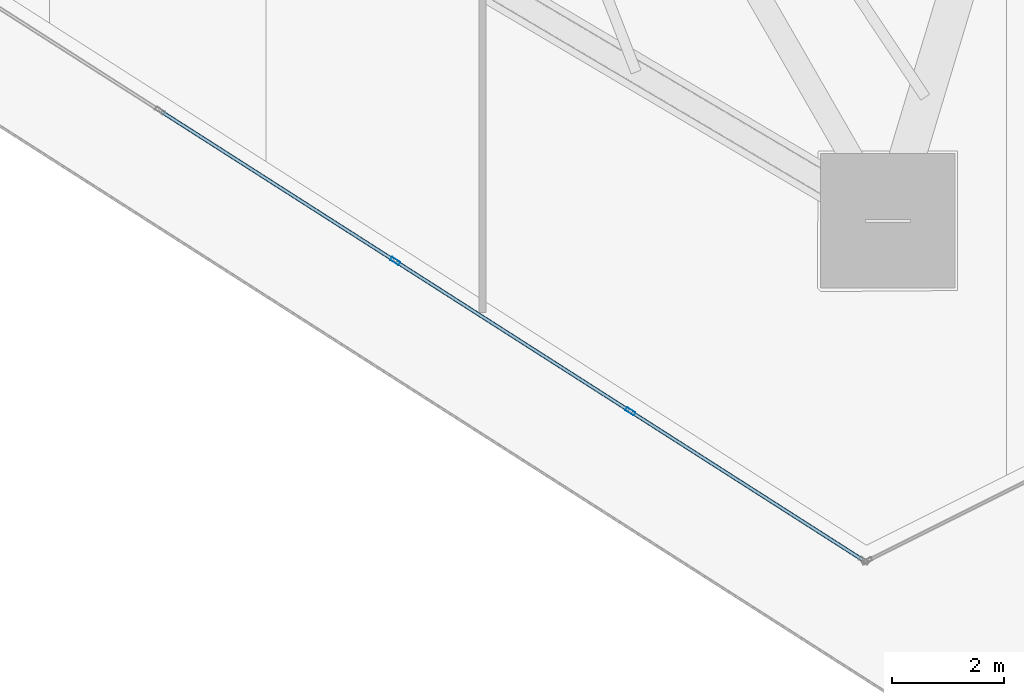
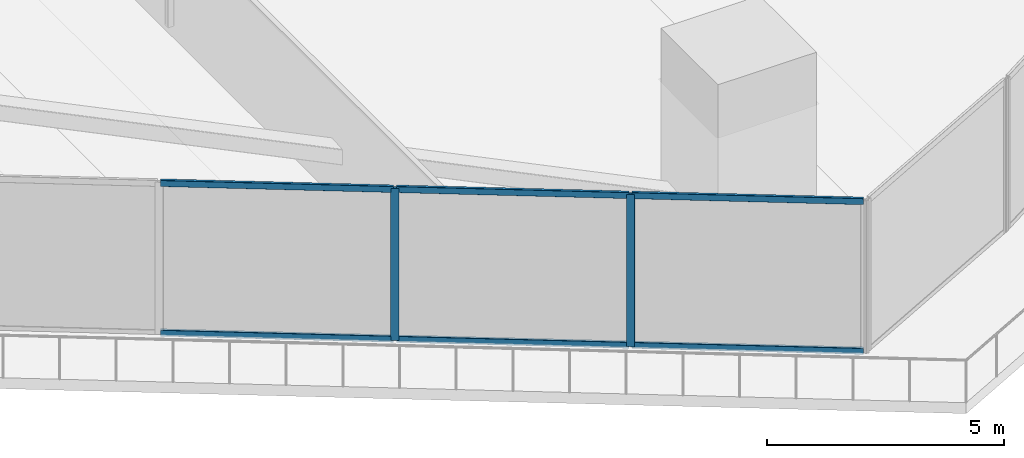
# One storey, part 7 of 45: 8 members, 1 element without a shape of its own.
"""IFC4 building model written with IfcOpenShell, lengths in metres."""

from ifc_helpers import new_model, si_unit, direction, frame, origin, origin_2d, place, context, subcontext, project, spatial, hollow_rectangle, extrude, material, layer, layer_set, material_profile, profile_set, type_object, element, aggregate, save


model = new_model("IFC4")

# Units and contexts
model_context = context("Model", 3, precision=1e-05, world=origin(), true_north=direction((0.0, 1.0)))
body_context = subcontext(model_context, "Body", "Model", "MODEL_VIEW")
ifc_project = project(units=[si_unit("LENGTHUNIT", "METRE"), si_unit("AREAUNIT", "SQUARE_METRE"), si_unit("VOLUMEUNIT", "CUBIC_METRE"), si_unit("PLANEANGLEUNIT", "RADIAN"), si_unit("MASSUNIT", "GRAM", prefix="KILO")], contexts=[model_context])

# Site, building, storey
site_placement = place(None, origin())
site = spatial("IfcSite", under=ifc_project, at=site_placement, CompositionType="ELEMENT")
building_placement = place(site_placement, origin())
building = spatial("IfcBuilding", under=site, at=building_placement, Name="Qorvath Tower", CompositionType="ELEMENT")
storey_placement = place(building_placement, frame((0.0, 0.0, 49.199951171875)))
storey = spatial("IfcBuildingStorey", under=building, at=storey_placement, Name="L10", CompositionType="ELEMENT", Elevation=49.199951171875)

# Curtain wall, members
ifc_material_1 = material(Name="Anodised aluminium and triple low-E glass", Category="aluminium")
ifc_layer = layer(ifc_material_1, 0.179931640625)
ifc_layer_set = layer_set([ifc_layer], Name="CW-SYS-2")
curtain_wall_type = type_object("IfcCurtainWallType", Name="CW-SYS-2", PredefinedType="NOTDEFINED", material=ifc_layer_set)
curtain_wall_placement = place(storey_placement, origin())
curtain_wall = element("IfcCurtainWall", 1, at=curtain_wall_placement, inside=storey, type_object=curtain_wall_type, Name="Curtain Wall CW-2 CW-T-L10-2.2", PredefinedType="NOTDEFINED")
ifc_material_2 = material(Name="Anodised aluminium 6063-T6", Category="aluminium")
ifc_material_profile_1 = material_profile(ifc_material_2, hollow_rectangle(XDim=0.06494140625, YDim=0.179931640625, WallThickness=0.00341796875, InnerFilletRadius=0.00341796875, OuterFilletRadius=0.007080078125, at=origin_2d()), Name="CWM 180x65")
ifc_profile_set_1 = profile_set([ifc_material_profile_1], Name="Anodised aluminium 6063-T6")
member_type_1 = type_object("IfcMemberType", Name="CWM-180", PredefinedType="MULLION", material=ifc_profile_set_1)
member_1_placement = place(storey_placement, frame((-23.25146484375, -28.047119140625, 0.0), z_axis=(0.0, 0.0, 1.0), x_axis=(0.538536571861, 0.842602136698, 0.0)))
member_1 = element("IfcMember", 2, at=member_1_placement, type_object=member_type_1, Name="CW-2 mullion 5", PredefinedType="MULLION", context=body_context, shape_type="SweptSolid", body=[
    extrude(hollow_rectangle(XDim=0.06494140625, YDim=0.179931640625, WallThickness=0.00341796875, InnerFilletRadius=0.00341796875, OuterFilletRadius=0.007080078125, at=origin_2d()), origin(), (0.0, 0.0, 1.0), 3.920166015625),
])
member_2_placement = place(storey_placement, frame((-19.057861328125, -30.7275390625, 0.0), z_axis=(0.0, 0.0, 1.0), x_axis=(0.538536571861, 0.842602136698, 0.0)))
member_2 = element("IfcMember", 3, at=member_2_placement, type_object=member_type_1, Name="CW-2 mullion 6", PredefinedType="MULLION", context=body_context, shape_type="SweptSolid", body=[
    extrude(hollow_rectangle(XDim=0.06494140625, YDim=0.179931640625, WallThickness=0.00341796875, InnerFilletRadius=0.00341796875, OuterFilletRadius=0.007080078125, at=origin_2d()), origin(), (0.0, 0.0, 1.0), 3.920166015625),
])
ifc_material_3 = material(Name="Anodised aluminium 6063-T6", Category="aluminium")
ifc_material_profile_2 = material_profile(ifc_material_3, hollow_rectangle(XDim=0.06494140625, YDim=0.159912109375, WallThickness=0.00341796875, InnerFilletRadius=0.00341796875, OuterFilletRadius=0.007080078125, at=origin_2d()), Name="CWT 160x65")
ifc_profile_set_2 = profile_set([ifc_material_profile_2], Name="Anodised aluminium 6063-T6")
member_type_2 = type_object("IfcMemberType", Name="CWT-160", PredefinedType="USERDEFINED", material=ifc_profile_set_2)
member_3_placement = place(storey_placement, frame((-27.41796875, -25.38427734375, 0.032470703125), z_axis=(0.842599789042, -0.53854024502, 0.0), x_axis=(0.53854024502, 0.842599789042, 0.0)))
member_3 = element("IfcMember", 4, at=member_3_placement, type_object=member_type_2, Name="CW-2 transom 4.1", ObjectType="TRANSOM", PredefinedType="USERDEFINED", context=body_context, shape_type="SweptSolid", body=[
    extrude(hollow_rectangle(XDim=0.06494140625, YDim=0.159912109375, WallThickness=0.00341796875, InnerFilletRadius=0.00341796875, OuterFilletRadius=0.007080078125, at=origin_2d()), origin(), (0.0, 0.0, 1.0), 4.912353515625),
])
member_4_placement = place(storey_placement, frame((-27.41796875, -25.38427734375, 3.8876953125), z_axis=(0.842599789042, -0.53854024502, 0.0), x_axis=(0.53854024502, 0.842599789042, 0.0)))
member_4 = element("IfcMember", 5, at=member_4_placement, type_object=member_type_2, Name="CW-2 transom 4.2", ObjectType="TRANSOM", PredefinedType="USERDEFINED", context=body_context, shape_type="SweptSolid", body=[
    extrude(hollow_rectangle(XDim=0.06494140625, YDim=0.159912109375, WallThickness=0.00341796875, InnerFilletRadius=0.00341796875, OuterFilletRadius=0.007080078125, at=origin_2d()), origin(), (0.0, 0.0, 1.0), 4.912353515625),
])
member_5_placement = place(storey_placement, frame((-23.22412109375, -28.064697265625, 0.032470703125), z_axis=(0.842585374104, -0.538562797959, 0.0), x_axis=(0.538562797959, 0.842585374104, 0.0)))
member_5 = element("IfcMember", 6, at=member_5_placement, type_object=member_type_2, Name="CW-2 transom 5.1", ObjectType="TRANSOM", PredefinedType="USERDEFINED", context=body_context, shape_type="SweptSolid", body=[
    extrude(hollow_rectangle(XDim=0.06494140625, YDim=0.159912109375, WallThickness=0.00341796875, InnerFilletRadius=0.00341796875, OuterFilletRadius=0.007080078125, at=origin_2d()), origin(), (0.0, 0.0, 1.0), 4.912109375),
])
member_6_placement = place(storey_placement, frame((-23.22412109375, -28.064697265625, 3.8876953125), z_axis=(0.842585374104, -0.538562797959, 0.0), x_axis=(0.538562797959, 0.842585374104, 0.0)))
member_6 = element("IfcMember", 7, at=member_6_placement, type_object=member_type_2, Name="CW-2 transom 5.2", ObjectType="TRANSOM", PredefinedType="USERDEFINED", context=body_context, shape_type="SweptSolid", body=[
    extrude(hollow_rectangle(XDim=0.06494140625, YDim=0.159912109375, WallThickness=0.00341796875, InnerFilletRadius=0.00341796875, OuterFilletRadius=0.007080078125, at=origin_2d()), origin(), (0.0, 0.0, 1.0), 4.912109375),
])
member_7_placement = place(storey_placement, frame((-19.0302734375, -30.7451171875, 0.032470703125), z_axis=(0.842594727147, -0.538548164777, 0.0), x_axis=(0.538548164777, 0.842594727147, 0.0)))
member_7 = element("IfcMember", 8, at=member_7_placement, type_object=member_type_2, Name="CW-2 transom 6.1", ObjectType="TRANSOM", PredefinedType="USERDEFINED", context=body_context, shape_type="SweptSolid", body=[
    extrude(hollow_rectangle(XDim=0.06494140625, YDim=0.159912109375, WallThickness=0.00341796875, InnerFilletRadius=0.00341796875, OuterFilletRadius=0.007080078125, at=origin_2d()), origin(), (0.0, 0.0, 1.0), 4.879638671875),
])
member_8_placement = place(storey_placement, frame((-19.0302734375, -30.7451171875, 3.8876953125), z_axis=(0.842594727147, -0.538548164777, 0.0), x_axis=(0.538548164777, 0.842594727147, 0.0)))
member_8 = element("IfcMember", 9, at=member_8_placement, type_object=member_type_2, Name="CW-2 transom 6.2", ObjectType="TRANSOM", PredefinedType="USERDEFINED", context=body_context, shape_type="SweptSolid", body=[
    extrude(hollow_rectangle(XDim=0.06494140625, YDim=0.159912109375, WallThickness=0.00341796875, InnerFilletRadius=0.00341796875, OuterFilletRadius=0.007080078125, at=origin_2d()), origin(), (0.0, 0.0, 1.0), 4.879638671875),
])
aggregate(curtain_wall, [member_1, member_2, member_3, member_4, member_5, member_6, member_7, member_8])

save(model, "model.ifc")
